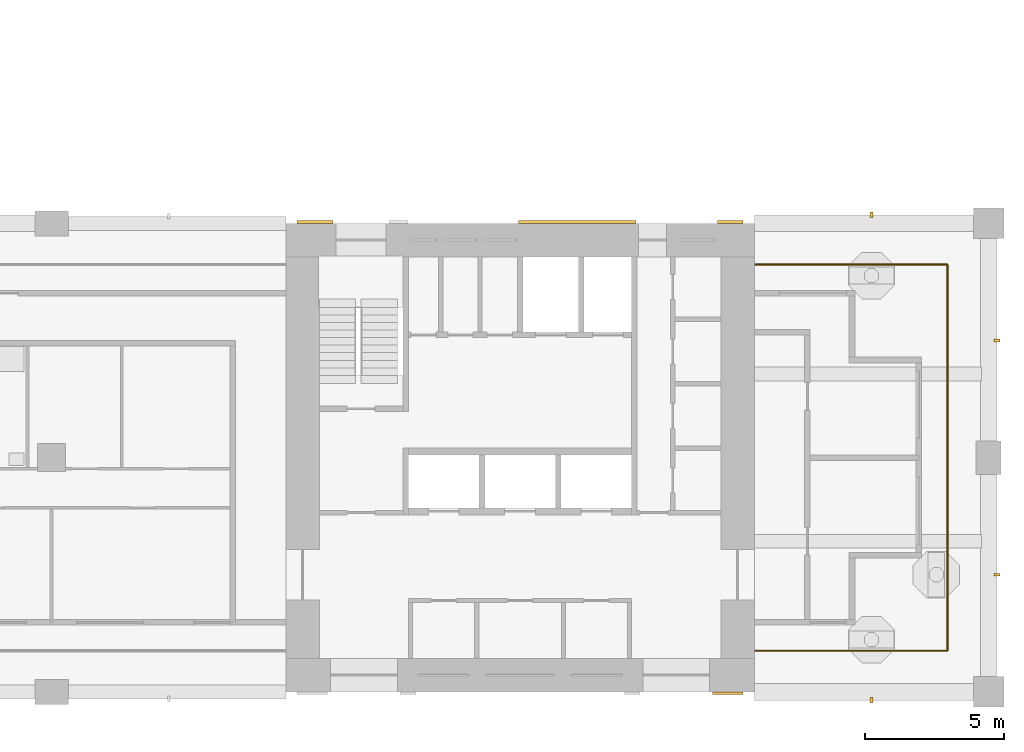
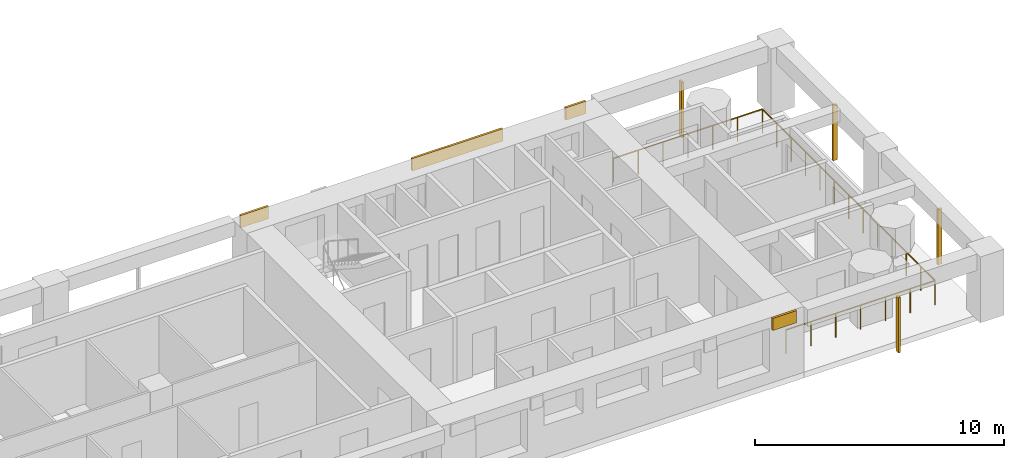
# One storey, part 9 of 13: 8 shading devices, 1 railing.
"""IFC4 building model written with IfcOpenShell, lengths in metres."""

from ifc_helpers import new_model, si_unit, direction, frame, origin, origin_2d, place, context, subcontext, project, spatial, rectangle, circle, extrude, material, layer, layer_set, material_profile, profile_set, type_object, element, save


model = new_model("IFC4")

# Units and contexts
model_context = context("Model", 3, precision=1e-05, world=origin(), true_north=direction((0.0, 1.0)))
body_context = subcontext(model_context, "Body", "Model", "MODEL_VIEW")
ifc_project = project(units=[si_unit("LENGTHUNIT", "METRE"), si_unit("AREAUNIT", "SQUARE_METRE"), si_unit("VOLUMEUNIT", "CUBIC_METRE"), si_unit("PLANEANGLEUNIT", "RADIAN"), si_unit("MASSUNIT", "GRAM", prefix="KILO")], contexts=[model_context])

# Site, building, storey
site_placement = place(None, origin())
site = spatial("IfcSite", under=ifc_project, at=site_placement, CompositionType="ELEMENT")
building_placement = place(site_placement, origin())
building = spatial("IfcBuilding", under=site, at=building_placement, Name="Vermilion Gate Residences", CompositionType="ELEMENT")
storey_placement = place(building_placement, frame((0.0, 0.0, 165.199951171875)))
storey = spatial("IfcBuildingStorey", under=building, at=storey_placement, Name="L42", CompositionType="ELEMENT", Elevation=165.199951171875)

# Railing
ifc_material_1 = material(Name="Stainless steel and toughened glass", Category="steel")
railing_type = type_object("IfcRailingType", Name="LOGGIA GUARD STEEL AND GLASS 1200", PredefinedType="GUARDRAIL", material=ifc_material_1)
railing_placement = place(storey_placement, frame((58.822021484375, 9.875, 0.0)))
element("IfcRailing", 1, at=railing_placement, inside=storey, type_object=railing_type, Name="Loggia guard", PredefinedType="GUARDRAIL", context=body_context, shape_type="SweptSolid", body=[
    extrude(circle(Radius=0.030029296875, at=origin_2d()), frame((0.0, 0.0, 1.169921875), z_axis=(1.0, 0.0, 0.0), x_axis=(0.0, 1.0, 0.0)), (0.0, 0.0, 1.0), 6.903076171875),
    extrude(circle(Radius=0.030029296875, at=origin_2d()), frame((6.903076171875, 0.0, 1.169921875), z_axis=(0.0, 1.0, 0.0), x_axis=(-1.0, 0.0, 0.0)), (0.0, 0.0, 1.0), 13.85009765625),
    extrude(circle(Radius=0.030029296875, at=origin_2d()), frame((6.903076171875, 13.85009765625, 1.169921875), z_axis=(-1.0, 0.0, 0.0), x_axis=(0.0, -1.0, 0.0)), (0.0, 0.0, 1.0), 6.903076171875),
    extrude(circle(Radius=0.02490234375, at=origin_2d()), origin(), (0.0, 0.0, 1.0), 1.139892578125),
    extrude(circle(Radius=0.02490234375, at=origin_2d()), frame((1.150390625, 0.0, 0.0)), (0.0, 0.0, 1.0), 1.139892578125),
    extrude(circle(Radius=0.02490234375, at=origin_2d()), frame((2.301025390625, 0.0, 0.0)), (0.0, 0.0, 1.0), 1.139892578125),
    extrude(circle(Radius=0.02490234375, at=origin_2d()), frame((3.45166015625, 0.0, 0.0)), (0.0, 0.0, 1.0), 1.139892578125),
    extrude(circle(Radius=0.02490234375, at=origin_2d()), frame((4.60205078125, 0.0, 0.0)), (0.0, 0.0, 1.0), 1.139892578125),
    extrude(circle(Radius=0.02490234375, at=origin_2d()), frame((5.75244140625, 0.0, 0.0)), (0.0, 0.0, 1.0), 1.139892578125),
    extrude(circle(Radius=0.02490234375, at=origin_2d()), frame((6.903076171875, 0.0, 0.0)), (0.0, 0.0, 1.0), 1.139892578125),
    extrude(circle(Radius=0.02490234375, at=origin_2d()), frame((6.903076171875, 1.154296875, 0.0)), (0.0, 0.0, 1.0), 1.139892578125),
    extrude(circle(Radius=0.02490234375, at=origin_2d()), frame((6.903076171875, 2.308349609375, 0.0)), (0.0, 0.0, 1.0), 1.139892578125),
    extrude(circle(Radius=0.02490234375, at=origin_2d()), frame((6.903076171875, 3.46240234375, 0.0)), (0.0, 0.0, 1.0), 1.139892578125),
    extrude(circle(Radius=0.02490234375, at=origin_2d()), frame((6.903076171875, 4.61669921875, 0.0)), (0.0, 0.0, 1.0), 1.139892578125),
    extrude(circle(Radius=0.02490234375, at=origin_2d()), frame((6.903076171875, 5.77099609375, 0.0)), (0.0, 0.0, 1.0), 1.139892578125),
    extrude(circle(Radius=0.02490234375, at=origin_2d()), frame((6.903076171875, 6.925048828125, 0.0)), (0.0, 0.0, 1.0), 1.139892578125),
    extrude(circle(Radius=0.02490234375, at=origin_2d()), frame((6.903076171875, 8.0791015625, 0.0)), (0.0, 0.0, 1.0), 1.139892578125),
    extrude(circle(Radius=0.02490234375, at=origin_2d()), frame((6.903076171875, 9.2333984375, 0.0)), (0.0, 0.0, 1.0), 1.139892578125),
    extrude(circle(Radius=0.02490234375, at=origin_2d()), frame((6.903076171875, 10.3876953125, 0.0)), (0.0, 0.0, 1.0), 1.139892578125),
    extrude(circle(Radius=0.02490234375, at=origin_2d()), frame((6.903076171875, 11.541748046875, 0.0)), (0.0, 0.0, 1.0), 1.139892578125),
    extrude(circle(Radius=0.02490234375, at=origin_2d()), frame((6.903076171875, 12.69580078125, 0.0)), (0.0, 0.0, 1.0), 1.139892578125),
    extrude(circle(Radius=0.02490234375, at=origin_2d()), frame((6.903076171875, 13.85009765625, 0.0)), (0.0, 0.0, 1.0), 1.139892578125),
    extrude(circle(Radius=0.02490234375, at=origin_2d()), frame((5.75244140625, 13.85009765625, 0.0)), (0.0, 0.0, 1.0), 1.139892578125),
    extrude(circle(Radius=0.02490234375, at=origin_2d()), frame((4.60205078125, 13.85009765625, 0.0)), (0.0, 0.0, 1.0), 1.139892578125),
    extrude(circle(Radius=0.02490234375, at=origin_2d()), frame((3.45166015625, 13.85009765625, 0.0)), (0.0, 0.0, 1.0), 1.139892578125),
    extrude(circle(Radius=0.02490234375, at=origin_2d()), frame((2.301025390625, 13.85009765625, 0.0)), (0.0, 0.0, 1.0), 1.139892578125),
    extrude(circle(Radius=0.02490234375, at=origin_2d()), frame((1.150390625, 13.85009765625, 0.0)), (0.0, 0.0, 1.0), 1.139892578125),
    extrude(circle(Radius=0.02490234375, at=origin_2d()), frame((0.0, 13.85009765625, 0.0)), (0.0, 0.0, 1.0), 1.139892578125),
])

# Shading devices
ifc_material_2 = material(Name="Extruded terracotta", Category="masonry")
ifc_material_profile = material_profile(ifc_material_2, rectangle(XDim=0.199951171875, YDim=0.10009765625, at=origin_2d()), Name="BAGUETTE 100 X 200")
ifc_profile_set = profile_set([ifc_material_profile], Name="Extruded terracotta")
shading_device_type_1 = type_object("IfcShadingDeviceType", Name="TERRACOTTA BAGUETTE 100 X 200", PredefinedType="JALOUSIE", material=ifc_profile_set)
for number, where, z_axis, x_axis, name in (
    (2, (63.0, 8.10009765625, -0.280029296875), (0.0, 0.0, 1.0), (0.0, 1.0, 0.0), "BAGUETTE"),
    (3, (67.5, 12.60009765625, -0.280029296875), (0.0, 0.0, 1.0), (-1.0, 0.0, 0.0), "BAGUETTE"),
    (4, (67.5, 21.0, -0.280029296875), (0.0, 0.0, 1.0), (-1.0, 0.0, 0.0), "BAGUETTE"),
    (5, (63.0, 25.5, -0.280029296875), (0.0, 0.0, 1.0), (0.0, -1.0, 0.0), "BAGUETTE"),
):
    element("IfcShadingDevice", number, at=place(storey_placement, frame(where, z_axis=z_axis, x_axis=x_axis)), inside=storey, type_object=shading_device_type_1, Name=name, PredefinedType="JALOUSIE", context=body_context, shape_type="SweptSolid", body=[
        extrude(rectangle(XDim=0.199951171875, YDim=0.10009765625, at=origin_2d()), origin(), (0.0, 0.0, 1.0), 2.7001953125),
    ])
ifc_material_3 = material(Name="Extruded terracotta", Category="masonry")
ifc_layer = layer(ifc_material_3, 0.10009765625)
ifc_layer_set = layer_set([ifc_layer], Name="TERRACOTTA SPANDREL BAND 600 X 100")
shading_device_type_2 = type_object("IfcShadingDeviceType", Name="TERRACOTTA SPANDREL BAND 600 X 100", PredefinedType="USERDEFINED", material=ifc_layer_set)
shading_device_1_placement = place(storey_placement, frame((57.85009765625, 8.35009765625, 2.6201171875), z_axis=(0.0, 0.0, 1.0), x_axis=(1.0, 0.0, 0.0)))
element("IfcShadingDevice", 6, at=shading_device_1_placement, inside=storey, type_object=shading_device_type_2, Name="SPANDREL BAND", ObjectType="BAND", PredefinedType="USERDEFINED", context=body_context, shape_type="SweptSolid", body=[
    extrude(rectangle(XDim=1.10009765625, YDim=0.10009765625, at=origin_2d()), origin(), (0.0, 0.0, 1.0), 0.60009765625),
])
shading_device_2_placement = place(storey_placement, frame((43.050048828125, 25.25, 2.6201171875), z_axis=(0.0, 0.0, 1.0), x_axis=(1.0, 0.0, 0.0)))
element("IfcShadingDevice", 7, at=shading_device_2_placement, inside=storey, type_object=shading_device_type_2, Name="SPANDREL BAND", ObjectType="BAND", PredefinedType="USERDEFINED", context=body_context, shape_type="SweptSolid", body=[
    extrude(rectangle(XDim=1.300048828125, YDim=0.10009765625, at=origin_2d()), origin(), (0.0, 0.0, 1.0), 0.60009765625),
])
shading_device_3_placement = place(storey_placement, frame((52.449951171875, 25.25, 2.6201171875), z_axis=(0.0, 0.0, 1.0), x_axis=(1.0, 0.0, 0.0)))
element("IfcShadingDevice", 8, at=shading_device_3_placement, inside=storey, type_object=shading_device_type_2, Name="SPANDREL BAND", ObjectType="BAND", PredefinedType="USERDEFINED", context=body_context, shape_type="SweptSolid", body=[
    extrude(rectangle(XDim=4.199951171875, YDim=0.10009765625, at=origin_2d()), origin(), (0.0, 0.0, 1.0), 0.60009765625),
])
shading_device_4_placement = place(storey_placement, frame((57.9375, 25.25, 2.6201171875), z_axis=(0.0, 0.0, 1.0), x_axis=(1.0, 0.0, 0.0)))
element("IfcShadingDevice", 9, at=shading_device_4_placement, inside=storey, type_object=shading_device_type_2, Name="SPANDREL BAND", ObjectType="BAND", PredefinedType="USERDEFINED", context=body_context, shape_type="SweptSolid", body=[
    extrude(rectangle(XDim=0.925048828125, YDim=0.10009765625, at=origin_2d()), origin(), (0.0, 0.0, 1.0), 0.60009765625),
])

save(model, "model.ifc")
